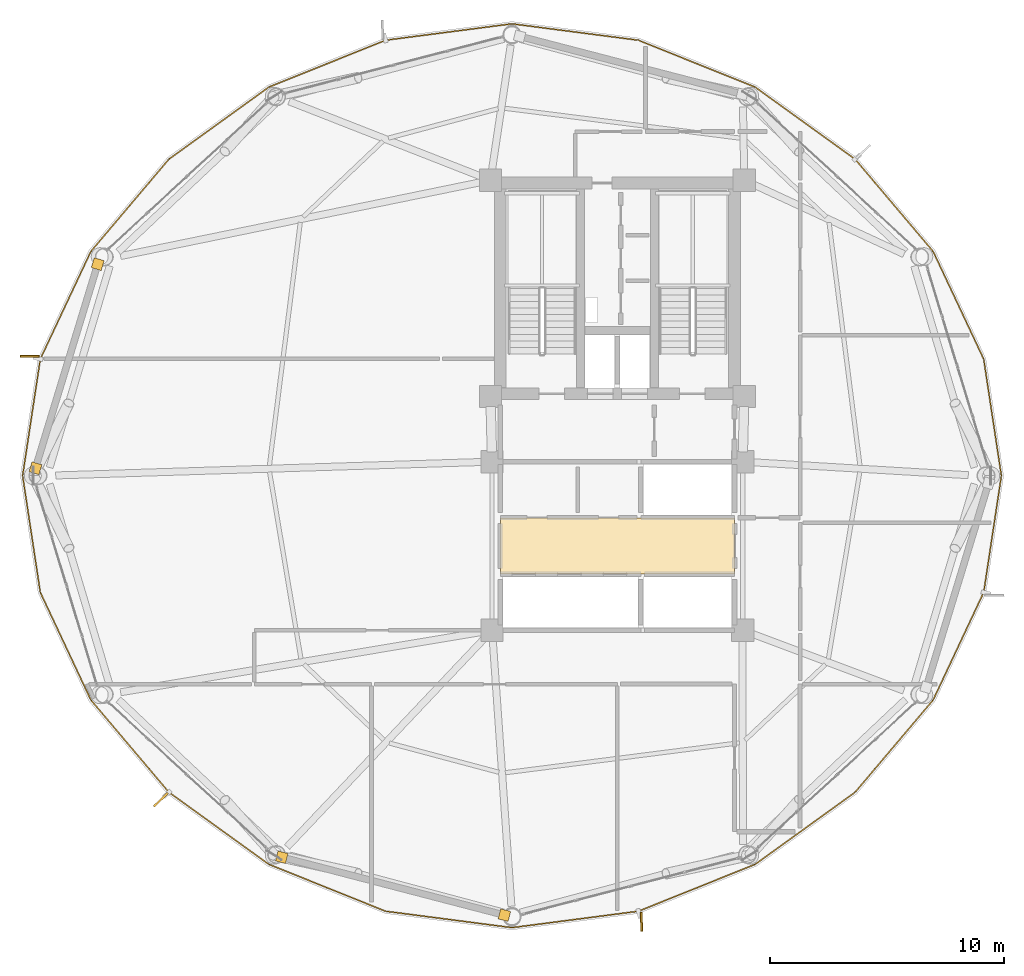
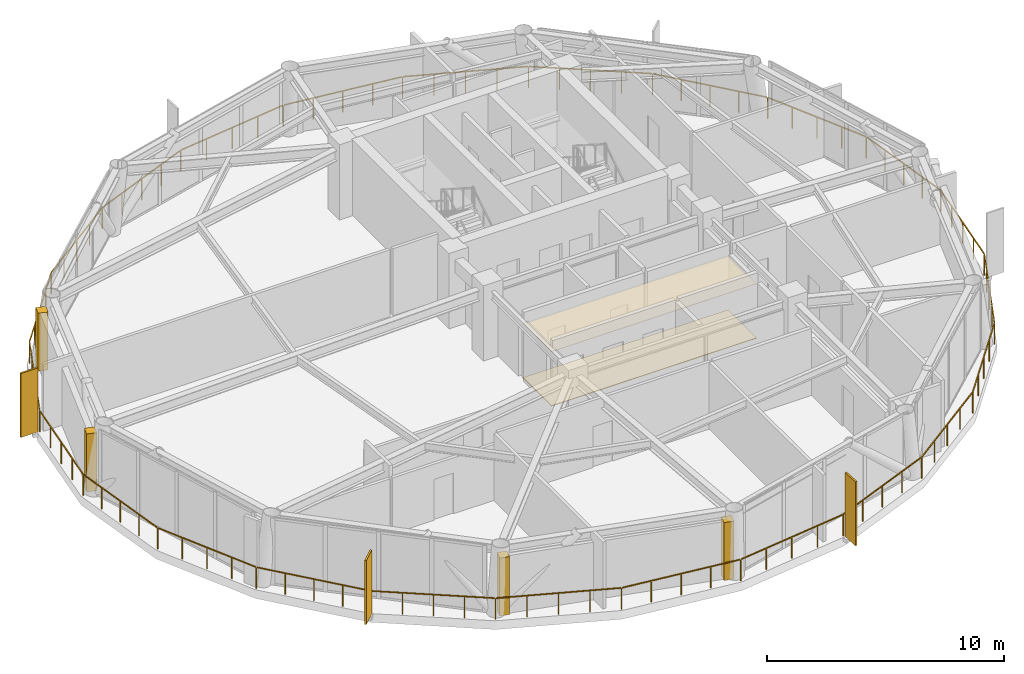
# One storey, part 24 of 26: 6 coverings, 3 shading devices, 1 railing.
"""IFC4 building model written with IfcOpenShell, lengths in metres."""

from ifc_helpers import new_model, si_unit, direction, frame, origin, origin_2d, place, context, subcontext, project, spatial, polyline, rectangle, outline, extrude, source, transform, mapped, material, layer, layer_set, type_object, type_shapes, element, save


model = new_model("IFC4")

# Units and contexts
model_context = context("Model", 3, precision=1e-05, world=origin(), true_north=direction((0.0, 1.0)))
body_context = subcontext(model_context, "Body", "Model", "MODEL_VIEW")
ifc_project = project(units=[si_unit("LENGTHUNIT", "METRE"), si_unit("AREAUNIT", "SQUARE_METRE"), si_unit("VOLUMEUNIT", "CUBIC_METRE"), si_unit("PLANEANGLEUNIT", "RADIAN"), si_unit("MASSUNIT", "GRAM", prefix="KILO")], contexts=[model_context])

# Site, building, storey
site_placement = place(None, origin())
site = spatial("IfcSite", under=ifc_project, at=site_placement, CompositionType="ELEMENT")
building_placement = place(site_placement, origin())
building = spatial("IfcBuilding", under=site, at=building_placement, Name="Varnakorn Sky Granary", CompositionType="ELEMENT")
storey_placement = place(building_placement, frame((0.0, 0.0, 169.5)))
storey = spatial("IfcBuildingStorey", under=building, at=storey_placement, Name="L42", CompositionType="ELEMENT", Elevation=169.5)

# Coverings
ifc_material_1 = material(Name="Perforated Acoustic Mineral-Fibre Ceiling", Category="gypsum")
ifc_layer_1 = layer(ifc_material_1, 0.02001953125, Name="Perforated Acoustic Mineral-Fibre Ceiling")
ifc_layer_set_1 = layer_set([ifc_layer_1], Name="Perforated Acoustic Mineral-Fibre Ceiling")
covering_type_1 = type_object("IfcCoveringType", Name="CV-CEIL-20", PredefinedType="CEILING", material=ifc_layer_set_1)
covering_1_placement = place(storey_placement, frame((0.0, 0.0, 2.800048828125)))
element("IfcCovering", 1, at=covering_1_placement, inside=storey, type_object=covering_type_1, Name="Lift Lobby Perforated Acoustic Ceiling L42", PredefinedType="CEILING", context=body_context, shape_type="SweptSolid", body=[
    extrude(outline(polyline([(-2.0, -4.199951171875), (8.0, -4.199951171875), (8.0, -1.800048828125), (-2.0, -1.800048828125), (-2.0, -4.199951171875)])), origin(), (0.0, 0.0, 1.0), 0.02001953125),
])
ifc_material_2 = material(Name="Honed Epoxy Terrazzo Topping", Category="concrete")
ifc_layer_2 = layer(ifc_material_2, 0.030029296875, Name="Honed Epoxy Terrazzo Topping")
ifc_layer_set_2 = layer_set([ifc_layer_2], Name="Honed Epoxy Terrazzo Topping")
covering_type_2 = type_object("IfcCoveringType", Name="CV-FLOR-30", PredefinedType="FLOORING", material=ifc_layer_set_2)
covering_2_placement = place(storey_placement, origin())
element("IfcCovering", 2, at=covering_2_placement, inside=storey, type_object=covering_type_2, Name="Lift Lobby Terrazzo Floor Finish L42", PredefinedType="FLOORING", context=body_context, shape_type="SweptSolid", body=[
    extrude(outline(polyline([(-2.0, -4.199951171875), (8.0, -4.199951171875), (8.0, -1.800048828125), (-2.0, -1.800048828125), (-2.0, -4.199951171875)])), origin(), (0.0, 0.0, 1.0), 0.030029296875),
])

# Railing
ifc_material_3 = material(Name="Anodised Bronze Aluminium Alloy 6063-T6", Category="aluminium")
railing_type = type_object("IfcRailingType", Name="RL-BAL-1120", PredefinedType="BALUSTRADE", material=ifc_material_3)
railing_placement = place(storey_placement, frame((19.39892578125, 0.0, 0.0)))
element("IfcRailing", 3, at=railing_placement, inside=storey, type_object=railing_type, Name="Perimeter Slab-Edge Safety Guard L42", PredefinedType="BALUSTRADE", context=body_context, shape_type="SweptSolid", body=[
    extrude(rectangle(XDim=0.048095703125, YDim=0.048095703125, at=origin_2d()), frame((-0.004150390625, -0.027587890625, 1.09619140625), z_axis=(-0.149824045545, -0.988712675845, 0.0), x_axis=(0.988712675845, -0.149824045545, 0.0)), (0.0, 0.0, 1.0), 4.980712890625),
    extrude(rectangle(XDim=0.048095703125, YDim=0.048095703125, at=origin_2d()), frame((-0.7666015625, -5.00537109375, 1.09619140625), z_axis=(-0.425144226955, -0.905125619064, 0.0), x_axis=(0.905125619064, -0.425144226955, 0.0)), (0.0, 0.0, 1.0), 5.02392578125),
    extrude(rectangle(XDim=0.048095703125, YDim=0.048095703125, at=origin_2d()), frame((-2.932373046875, -9.599365234375, 1.09619140625), z_axis=(-0.645749153438, -0.763549625653, 0.0), x_axis=(0.763549625653, -0.645749153438, 0.0)), (0.0, 0.0, 1.0), 5.1025390625),
    extrude(rectangle(XDim=0.048095703125, YDim=0.048095703125, at=origin_2d()), frame((-6.26806640625, -13.532958984375, 1.09619140625), z_axis=(-0.81109604395, -0.584912991383, 0.0), x_axis=(0.584912991383, -0.81109604395, 0.0)), (0.0, 0.0, 1.0), 5.208251953125),
    extrude(rectangle(XDim=0.048095703125, YDim=0.048095703125, at=origin_2d()), frame((-10.541015625, -16.606201171875, 1.09619140625), z_axis=(-0.927964985214, -0.372667393553, 0.0), x_axis=(0.372667393553, -0.927964985214, 0.0)), (0.0, 0.0, 1.0), 5.316650390625),
    extrude(rectangle(XDim=0.048095703125, YDim=0.048095703125, at=origin_2d()), frame((-15.528564453125, -18.6015625, 1.09619140625), z_axis=(-0.991663814269, -0.128852161295, 0.0), x_axis=(0.128852161295, -0.991663814269, 0.0)), (0.0, 0.0, 1.0), 5.387451171875),
    extrude(rectangle(XDim=0.048095703125, YDim=0.048095703125, at=origin_2d()), frame((-20.9267578125, -19.295654296875, 1.09619140625), z_axis=(-0.991663814269, 0.128852161295, 0.0), x_axis=(-0.128852161295, -0.991663814269, 0.0)), (0.0, 0.0, 1.0), 5.387451171875),
    extrude(rectangle(XDim=0.048095703125, YDim=0.048095703125, at=origin_2d()), frame((-26.322998046875, -18.58740234375, 1.09619140625), z_axis=(-0.927964985214, 0.372667393553, 0.0), x_axis=(-0.372667393553, -0.927964985214, 0.0)), (0.0, 0.0, 1.0), 5.316650390625),
    extrude(rectangle(XDim=0.048095703125, YDim=0.048095703125, at=origin_2d()), frame((-31.305419921875, -16.579345703125, 1.09619140625), z_axis=(-0.81109604395, 0.584912991383, 0.0), x_axis=(-0.584912991383, -0.81109604395, 0.0)), (0.0, 0.0, 1.0), 5.208251953125),
    extrude(rectangle(XDim=0.048095703125, YDim=0.048095703125, at=origin_2d()), frame((-35.570556640625, -13.4951171875, 1.09619140625), z_axis=(-0.645749153438, 0.763549625653, 0.0), x_axis=(-0.763549625653, -0.645749153438, 0.0)), (0.0, 0.0, 1.0), 5.1025390625),
    extrude(rectangle(XDim=0.048095703125, YDim=0.048095703125, at=origin_2d()), frame((-38.8955078125, -9.552490234375, 1.09619140625), z_axis=(-0.425144226955, 0.905125619064, 0.0), x_axis=(-0.905125619064, -0.425144226955, 0.0)), (0.0, 0.0, 1.0), 5.02392578125),
    extrude(rectangle(XDim=0.048095703125, YDim=0.048095703125, at=origin_2d()), frame((-41.04736328125, -4.952392578125, 1.09619140625), z_axis=(-0.149824045545, 0.988712675845, 0.0), x_axis=(-0.988712675845, -0.149824045545, 0.0)), (0.0, 0.0, 1.0), 4.980712890625),
    extrude(rectangle(XDim=0.048095703125, YDim=0.048095703125, at=origin_2d()), frame((-41.793701171875, 0.027587890625, 1.09619140625), z_axis=(0.149824045545, 0.988712675845, 0.0), x_axis=(-0.988712675845, 0.149824045545, 0.0)), (0.0, 0.0, 1.0), 4.980712890625),
    extrude(rectangle(XDim=0.048095703125, YDim=0.048095703125, at=origin_2d()), frame((-41.03125, 5.00537109375, 1.09619140625), z_axis=(0.425144226955, 0.905125619064, 0.0), x_axis=(-0.905125619064, 0.425144226955, 0.0)), (0.0, 0.0, 1.0), 5.02392578125),
    extrude(rectangle(XDim=0.048095703125, YDim=0.048095703125, at=origin_2d()), frame((-38.865478515625, 9.599365234375, 1.09619140625), z_axis=(0.645749153438, 0.763549625653, 0.0), x_axis=(-0.763549625653, 0.645749153438, 0.0)), (0.0, 0.0, 1.0), 5.1025390625),
    extrude(rectangle(XDim=0.048095703125, YDim=0.048095703125, at=origin_2d()), frame((-35.52978515625, 13.532958984375, 1.09619140625), z_axis=(0.81109604395, 0.584912991383, 0.0), x_axis=(-0.584912991383, 0.81109604395, 0.0)), (0.0, 0.0, 1.0), 5.208251953125),
    extrude(rectangle(XDim=0.048095703125, YDim=0.048095703125, at=origin_2d()), frame((-31.2568359375, 16.606201171875, 1.09619140625), z_axis=(0.927964985214, 0.372667393553, 0.0), x_axis=(-0.372667393553, 0.927964985214, 0.0)), (0.0, 0.0, 1.0), 5.316650390625),
    extrude(rectangle(XDim=0.048095703125, YDim=0.048095703125, at=origin_2d()), frame((-26.269287109375, 18.6015625, 1.09619140625), z_axis=(0.991663814269, 0.128852161295, 0.0), x_axis=(-0.128852161295, 0.991663814269, 0.0)), (0.0, 0.0, 1.0), 5.387451171875),
    extrude(rectangle(XDim=0.048095703125, YDim=0.048095703125, at=origin_2d()), frame((-20.87109375, 19.295654296875, 1.09619140625), z_axis=(0.991663814269, -0.128852161295, 0.0), x_axis=(0.128852161295, 0.991663814269, 0.0)), (0.0, 0.0, 1.0), 5.387451171875),
    extrude(rectangle(XDim=0.048095703125, YDim=0.048095703125, at=origin_2d()), frame((-15.474853515625, 18.58740234375, 1.09619140625), z_axis=(0.927964985214, -0.372667393553, 0.0), x_axis=(0.372667393553, 0.927964985214, 0.0)), (0.0, 0.0, 1.0), 5.316650390625),
    extrude(rectangle(XDim=0.048095703125, YDim=0.048095703125, at=origin_2d()), frame((-10.492431640625, 16.579345703125, 1.09619140625), z_axis=(0.81109604395, -0.584912991383, 0.0), x_axis=(0.584912991383, 0.81109604395, 0.0)), (0.0, 0.0, 1.0), 5.208251953125),
    extrude(rectangle(XDim=0.048095703125, YDim=0.048095703125, at=origin_2d()), frame((-6.227294921875, 13.4951171875, 1.09619140625), z_axis=(0.645749153438, -0.763549625653, 0.0), x_axis=(0.763549625653, 0.645749153438, 0.0)), (0.0, 0.0, 1.0), 5.1025390625),
    extrude(rectangle(XDim=0.048095703125, YDim=0.048095703125, at=origin_2d()), frame((-2.90234375, 9.552490234375, 1.09619140625), z_axis=(0.425144226955, -0.905125619064, 0.0), x_axis=(0.905125619064, 0.425144226955, 0.0)), (0.0, 0.0, 1.0), 5.02392578125),
    extrude(rectangle(XDim=0.048095703125, YDim=0.048095703125, at=origin_2d()), frame((-0.75048828125, 4.952392578125, 1.09619140625), z_axis=(0.149824045545, -0.988712675845, 0.0), x_axis=(0.988712675845, 0.149824045545, 0.0)), (0.0, 0.0, 1.0), 4.980712890625),
    extrude(rectangle(XDim=0.0419921875, YDim=0.0419921875, at=origin_2d()), origin(), (0.0, 0.0, 1.0), 1.068115234375),
    extrude(rectangle(XDim=0.0419921875, YDim=0.0419921875, at=origin_2d()), frame((-0.188720703125, -1.2451171875, 0.0)), (0.0, 0.0, 1.0), 1.068115234375),
    extrude(rectangle(XDim=0.0419921875, YDim=0.0419921875, at=origin_2d()), frame((-0.37744140625, -2.489990234375, 0.0)), (0.0, 0.0, 1.0), 1.068115234375),
    extrude(rectangle(XDim=0.0419921875, YDim=0.0419921875, at=origin_2d()), frame((-0.56591796875, -3.73486328125, 0.0)), (0.0, 0.0, 1.0), 1.068115234375),
    extrude(rectangle(XDim=0.0419921875, YDim=0.0419921875, at=origin_2d()), frame((-0.754638671875, -4.97998046875, 0.0)), (0.0, 0.0, 1.0), 1.068115234375),
    extrude(rectangle(XDim=0.0419921875, YDim=0.0419921875, at=origin_2d()), frame((-1.29443359375, -6.12939453125, 0.0)), (0.0, 0.0, 1.0), 1.068115234375),
    extrude(rectangle(XDim=0.0419921875, YDim=0.0419921875, at=origin_2d()), frame((-1.83447265625, -7.27880859375, 0.0)), (0.0, 0.0, 1.0), 1.068115234375),
    extrude(rectangle(XDim=0.0419921875, YDim=0.0419921875, at=origin_2d()), frame((-2.37451171875, -8.428466796875, 0.0)), (0.0, 0.0, 1.0), 1.068115234375),
    extrude(rectangle(XDim=0.0419921875, YDim=0.0419921875, at=origin_2d()), frame((-2.914306640625, -9.577880859375, 0.0)), (0.0, 0.0, 1.0), 1.068115234375),
    extrude(rectangle(XDim=0.0419921875, YDim=0.0419921875, at=origin_2d()), frame((-3.7470703125, -10.5625, 0.0)), (0.0, 0.0, 1.0), 1.068115234375),
    extrude(rectangle(XDim=0.0419921875, YDim=0.0419921875, at=origin_2d()), frame((-4.579833984375, -11.54736328125, 0.0)), (0.0, 0.0, 1.0), 1.068115234375),
    extrude(rectangle(XDim=0.0419921875, YDim=0.0419921875, at=origin_2d()), frame((-5.41259765625, -12.531982421875, 0.0)), (0.0, 0.0, 1.0), 1.068115234375),
    extrude(rectangle(XDim=0.0419921875, YDim=0.0419921875, at=origin_2d()), frame((-6.245361328125, -13.5166015625, 0.0)), (0.0, 0.0, 1.0), 1.068115234375),
    extrude(rectangle(XDim=0.0419921875, YDim=0.0419921875, at=origin_2d()), frame((-7.312744140625, -14.286376953125, 0.0)), (0.0, 0.0, 1.0), 1.068115234375),
    extrude(rectangle(XDim=0.0419921875, YDim=0.0419921875, at=origin_2d()), frame((-8.38037109375, -15.05615234375, 0.0)), (0.0, 0.0, 1.0), 1.068115234375),
    extrude(rectangle(XDim=0.0419921875, YDim=0.0419921875, at=origin_2d()), frame((-9.44775390625, -15.825927734375, 0.0)), (0.0, 0.0, 1.0), 1.068115234375),
    extrude(rectangle(XDim=0.0419921875, YDim=0.0419921875, at=origin_2d()), frame((-10.51513671875, -16.595703125, 0.0)), (0.0, 0.0, 1.0), 1.068115234375),
    extrude(rectangle(XDim=0.0419921875, YDim=0.0419921875, at=origin_2d()), frame((-11.761474609375, -17.09619140625, 0.0)), (0.0, 0.0, 1.0), 1.068115234375),
    extrude(rectangle(XDim=0.0419921875, YDim=0.0419921875, at=origin_2d()), frame((-13.0078125, -17.5966796875, 0.0)), (0.0, 0.0, 1.0), 1.068115234375),
    extrude(rectangle(XDim=0.0419921875, YDim=0.0419921875, at=origin_2d()), frame((-14.25439453125, -18.097412109375, 0.0)), (0.0, 0.0, 1.0), 1.068115234375),
    extrude(rectangle(XDim=0.0419921875, YDim=0.0419921875, at=origin_2d()), frame((-15.500732421875, -18.597900390625, 0.0)), (0.0, 0.0, 1.0), 1.068115234375),
    extrude(rectangle(XDim=0.0419921875, YDim=0.0419921875, at=origin_2d()), frame((-16.850341796875, -18.773193359375, 0.0)), (0.0, 0.0, 1.0), 1.068115234375),
    extrude(rectangle(XDim=0.0419921875, YDim=0.0419921875, at=origin_2d()), frame((-18.19970703125, -18.94873046875, 0.0)), (0.0, 0.0, 1.0), 1.068115234375),
    extrude(rectangle(XDim=0.0419921875, YDim=0.0419921875, at=origin_2d()), frame((-19.54931640625, -19.1240234375, 0.0)), (0.0, 0.0, 1.0), 1.068115234375),
    extrude(rectangle(XDim=0.0419921875, YDim=0.0419921875, at=origin_2d()), frame((-20.89892578125, -19.29931640625, 0.0)), (0.0, 0.0, 1.0), 1.068115234375),
    extrude(rectangle(XDim=0.0419921875, YDim=0.0419921875, at=origin_2d()), frame((-22.24853515625, -19.1240234375, 0.0)), (0.0, 0.0, 1.0), 1.068115234375),
    extrude(rectangle(XDim=0.0419921875, YDim=0.0419921875, at=origin_2d()), frame((-23.59814453125, -18.94873046875, 0.0)), (0.0, 0.0, 1.0), 1.068115234375),
    extrude(rectangle(XDim=0.0419921875, YDim=0.0419921875, at=origin_2d()), frame((-24.947509765625, -18.773193359375, 0.0)), (0.0, 0.0, 1.0), 1.068115234375),
    extrude(rectangle(XDim=0.0419921875, YDim=0.0419921875, at=origin_2d()), frame((-26.297119140625, -18.597900390625, 0.0)), (0.0, 0.0, 1.0), 1.068115234375),
    extrude(rectangle(XDim=0.0419921875, YDim=0.0419921875, at=origin_2d()), frame((-27.54345703125, -18.097412109375, 0.0)), (0.0, 0.0, 1.0), 1.068115234375),
    extrude(rectangle(XDim=0.0419921875, YDim=0.0419921875, at=origin_2d()), frame((-28.7900390625, -17.5966796875, 0.0)), (0.0, 0.0, 1.0), 1.068115234375),
    extrude(rectangle(XDim=0.0419921875, YDim=0.0419921875, at=origin_2d()), frame((-30.036376953125, -17.09619140625, 0.0)), (0.0, 0.0, 1.0), 1.068115234375),
    extrude(rectangle(XDim=0.0419921875, YDim=0.0419921875, at=origin_2d()), frame((-31.28271484375, -16.595703125, 0.0)), (0.0, 0.0, 1.0), 1.068115234375),
    extrude(rectangle(XDim=0.0419921875, YDim=0.0419921875, at=origin_2d()), frame((-32.35009765625, -15.825927734375, 0.0)), (0.0, 0.0, 1.0), 1.068115234375),
    extrude(rectangle(XDim=0.0419921875, YDim=0.0419921875, at=origin_2d()), frame((-33.41748046875, -15.05615234375, 0.0)), (0.0, 0.0, 1.0), 1.068115234375),
    extrude(rectangle(XDim=0.0419921875, YDim=0.0419921875, at=origin_2d()), frame((-34.485107421875, -14.286376953125, 0.0)), (0.0, 0.0, 1.0), 1.068115234375),
    extrude(rectangle(XDim=0.0419921875, YDim=0.0419921875, at=origin_2d()), frame((-35.552490234375, -13.5166015625, 0.0)), (0.0, 0.0, 1.0), 1.068115234375),
    extrude(rectangle(XDim=0.0419921875, YDim=0.0419921875, at=origin_2d()), frame((-36.38525390625, -12.531982421875, 0.0)), (0.0, 0.0, 1.0), 1.068115234375),
    extrude(rectangle(XDim=0.0419921875, YDim=0.0419921875, at=origin_2d()), frame((-37.218017578125, -11.54736328125, 0.0)), (0.0, 0.0, 1.0), 1.068115234375),
    extrude(rectangle(XDim=0.0419921875, YDim=0.0419921875, at=origin_2d()), frame((-38.05078125, -10.5625, 0.0)), (0.0, 0.0, 1.0), 1.068115234375),
    extrude(rectangle(XDim=0.0419921875, YDim=0.0419921875, at=origin_2d()), frame((-38.883544921875, -9.577880859375, 0.0)), (0.0, 0.0, 1.0), 1.068115234375),
    extrude(rectangle(XDim=0.0419921875, YDim=0.0419921875, at=origin_2d()), frame((-39.42333984375, -8.428466796875, 0.0)), (0.0, 0.0, 1.0), 1.068115234375),
    extrude(rectangle(XDim=0.0419921875, YDim=0.0419921875, at=origin_2d()), frame((-39.96337890625, -7.27880859375, 0.0)), (0.0, 0.0, 1.0), 1.068115234375),
    extrude(rectangle(XDim=0.0419921875, YDim=0.0419921875, at=origin_2d()), frame((-40.50341796875, -6.12939453125, 0.0)), (0.0, 0.0, 1.0), 1.068115234375),
    extrude(rectangle(XDim=0.0419921875, YDim=0.0419921875, at=origin_2d()), frame((-41.043212890625, -4.97998046875, 0.0)), (0.0, 0.0, 1.0), 1.068115234375),
    extrude(rectangle(XDim=0.0419921875, YDim=0.0419921875, at=origin_2d()), frame((-41.23193359375, -3.73486328125, 0.0)), (0.0, 0.0, 1.0), 1.068115234375),
    extrude(rectangle(XDim=0.0419921875, YDim=0.0419921875, at=origin_2d()), frame((-41.42041015625, -2.489990234375, 0.0)), (0.0, 0.0, 1.0), 1.068115234375),
    extrude(rectangle(XDim=0.0419921875, YDim=0.0419921875, at=origin_2d()), frame((-41.609130859375, -1.2451171875, 0.0)), (0.0, 0.0, 1.0), 1.068115234375),
    extrude(rectangle(XDim=0.0419921875, YDim=0.0419921875, at=origin_2d()), frame((-41.7978515625, 0.0, 0.0)), (0.0, 0.0, 1.0), 1.068115234375),
    extrude(rectangle(XDim=0.0419921875, YDim=0.0419921875, at=origin_2d()), frame((-41.609130859375, 1.2451171875, 0.0)), (0.0, 0.0, 1.0), 1.068115234375),
    extrude(rectangle(XDim=0.0419921875, YDim=0.0419921875, at=origin_2d()), frame((-41.42041015625, 2.489990234375, 0.0)), (0.0, 0.0, 1.0), 1.068115234375),
    extrude(rectangle(XDim=0.0419921875, YDim=0.0419921875, at=origin_2d()), frame((-41.23193359375, 3.73486328125, 0.0)), (0.0, 0.0, 1.0), 1.068115234375),
    extrude(rectangle(XDim=0.0419921875, YDim=0.0419921875, at=origin_2d()), frame((-41.043212890625, 4.97998046875, 0.0)), (0.0, 0.0, 1.0), 1.068115234375),
    extrude(rectangle(XDim=0.0419921875, YDim=0.0419921875, at=origin_2d()), frame((-40.50341796875, 6.12939453125, 0.0)), (0.0, 0.0, 1.0), 1.068115234375),
    extrude(rectangle(XDim=0.0419921875, YDim=0.0419921875, at=origin_2d()), frame((-39.96337890625, 7.27880859375, 0.0)), (0.0, 0.0, 1.0), 1.068115234375),
    extrude(rectangle(XDim=0.0419921875, YDim=0.0419921875, at=origin_2d()), frame((-39.42333984375, 8.428466796875, 0.0)), (0.0, 0.0, 1.0), 1.068115234375),
    extrude(rectangle(XDim=0.0419921875, YDim=0.0419921875, at=origin_2d()), frame((-38.883544921875, 9.577880859375, 0.0)), (0.0, 0.0, 1.0), 1.068115234375),
    extrude(rectangle(XDim=0.0419921875, YDim=0.0419921875, at=origin_2d()), frame((-38.05078125, 10.5625, 0.0)), (0.0, 0.0, 1.0), 1.068115234375),
    extrude(rectangle(XDim=0.0419921875, YDim=0.0419921875, at=origin_2d()), frame((-37.218017578125, 11.54736328125, 0.0)), (0.0, 0.0, 1.0), 1.068115234375),
    extrude(rectangle(XDim=0.0419921875, YDim=0.0419921875, at=origin_2d()), frame((-36.38525390625, 12.531982421875, 0.0)), (0.0, 0.0, 1.0), 1.068115234375),
    extrude(rectangle(XDim=0.0419921875, YDim=0.0419921875, at=origin_2d()), frame((-35.552490234375, 13.5166015625, 0.0)), (0.0, 0.0, 1.0), 1.068115234375),
    extrude(rectangle(XDim=0.0419921875, YDim=0.0419921875, at=origin_2d()), frame((-34.485107421875, 14.286376953125, 0.0)), (0.0, 0.0, 1.0), 1.068115234375),
    extrude(rectangle(XDim=0.0419921875, YDim=0.0419921875, at=origin_2d()), frame((-33.41748046875, 15.05615234375, 0.0)), (0.0, 0.0, 1.0), 1.068115234375),
    extrude(rectangle(XDim=0.0419921875, YDim=0.0419921875, at=origin_2d()), frame((-32.35009765625, 15.825927734375, 0.0)), (0.0, 0.0, 1.0), 1.068115234375),
    extrude(rectangle(XDim=0.0419921875, YDim=0.0419921875, at=origin_2d()), frame((-31.28271484375, 16.595703125, 0.0)), (0.0, 0.0, 1.0), 1.068115234375),
    extrude(rectangle(XDim=0.0419921875, YDim=0.0419921875, at=origin_2d()), frame((-30.036376953125, 17.09619140625, 0.0)), (0.0, 0.0, 1.0), 1.068115234375),
    extrude(rectangle(XDim=0.0419921875, YDim=0.0419921875, at=origin_2d()), frame((-28.7900390625, 17.5966796875, 0.0)), (0.0, 0.0, 1.0), 1.068115234375),
    extrude(rectangle(XDim=0.0419921875, YDim=0.0419921875, at=origin_2d()), frame((-27.54345703125, 18.097412109375, 0.0)), (0.0, 0.0, 1.0), 1.068115234375),
    extrude(rectangle(XDim=0.0419921875, YDim=0.0419921875, at=origin_2d()), frame((-26.297119140625, 18.597900390625, 0.0)), (0.0, 0.0, 1.0), 1.068115234375),
    extrude(rectangle(XDim=0.0419921875, YDim=0.0419921875, at=origin_2d()), frame((-24.947509765625, 18.773193359375, 0.0)), (0.0, 0.0, 1.0), 1.068115234375),
    extrude(rectangle(XDim=0.0419921875, YDim=0.0419921875, at=origin_2d()), frame((-23.59814453125, 18.94873046875, 0.0)), (0.0, 0.0, 1.0), 1.068115234375),
    extrude(rectangle(XDim=0.0419921875, YDim=0.0419921875, at=origin_2d()), frame((-22.24853515625, 19.1240234375, 0.0)), (0.0, 0.0, 1.0), 1.068115234375),
    extrude(rectangle(XDim=0.0419921875, YDim=0.0419921875, at=origin_2d()), frame((-20.89892578125, 19.29931640625, 0.0)), (0.0, 0.0, 1.0), 1.068115234375),
    extrude(rectangle(XDim=0.0419921875, YDim=0.0419921875, at=origin_2d()), frame((-19.54931640625, 19.1240234375, 0.0)), (0.0, 0.0, 1.0), 1.068115234375),
    extrude(rectangle(XDim=0.0419921875, YDim=0.0419921875, at=origin_2d()), frame((-18.19970703125, 18.94873046875, 0.0)), (0.0, 0.0, 1.0), 1.068115234375),
    extrude(rectangle(XDim=0.0419921875, YDim=0.0419921875, at=origin_2d()), frame((-16.850341796875, 18.773193359375, 0.0)), (0.0, 0.0, 1.0), 1.068115234375),
    extrude(rectangle(XDim=0.0419921875, YDim=0.0419921875, at=origin_2d()), frame((-15.500732421875, 18.597900390625, 0.0)), (0.0, 0.0, 1.0), 1.068115234375),
    extrude(rectangle(XDim=0.0419921875, YDim=0.0419921875, at=origin_2d()), frame((-14.25439453125, 18.097412109375, 0.0)), (0.0, 0.0, 1.0), 1.068115234375),
    extrude(rectangle(XDim=0.0419921875, YDim=0.0419921875, at=origin_2d()), frame((-13.0078125, 17.5966796875, 0.0)), (0.0, 0.0, 1.0), 1.068115234375),
    extrude(rectangle(XDim=0.0419921875, YDim=0.0419921875, at=origin_2d()), frame((-11.761474609375, 17.09619140625, 0.0)), (0.0, 0.0, 1.0), 1.068115234375),
    extrude(rectangle(XDim=0.0419921875, YDim=0.0419921875, at=origin_2d()), frame((-10.51513671875, 16.595703125, 0.0)), (0.0, 0.0, 1.0), 1.068115234375),
    extrude(rectangle(XDim=0.0419921875, YDim=0.0419921875, at=origin_2d()), frame((-9.44775390625, 15.825927734375, 0.0)), (0.0, 0.0, 1.0), 1.068115234375),
    extrude(rectangle(XDim=0.0419921875, YDim=0.0419921875, at=origin_2d()), frame((-8.38037109375, 15.05615234375, 0.0)), (0.0, 0.0, 1.0), 1.068115234375),
    extrude(rectangle(XDim=0.0419921875, YDim=0.0419921875, at=origin_2d()), frame((-7.312744140625, 14.286376953125, 0.0)), (0.0, 0.0, 1.0), 1.068115234375),
    extrude(rectangle(XDim=0.0419921875, YDim=0.0419921875, at=origin_2d()), frame((-6.245361328125, 13.5166015625, 0.0)), (0.0, 0.0, 1.0), 1.068115234375),
    extrude(rectangle(XDim=0.0419921875, YDim=0.0419921875, at=origin_2d()), frame((-5.41259765625, 12.531982421875, 0.0)), (0.0, 0.0, 1.0), 1.068115234375),
    extrude(rectangle(XDim=0.0419921875, YDim=0.0419921875, at=origin_2d()), frame((-4.579833984375, 11.54736328125, 0.0)), (0.0, 0.0, 1.0), 1.068115234375),
    extrude(rectangle(XDim=0.0419921875, YDim=0.0419921875, at=origin_2d()), frame((-3.7470703125, 10.5625, 0.0)), (0.0, 0.0, 1.0), 1.068115234375),
    extrude(rectangle(XDim=0.0419921875, YDim=0.0419921875, at=origin_2d()), frame((-2.914306640625, 9.577880859375, 0.0)), (0.0, 0.0, 1.0), 1.068115234375),
    extrude(rectangle(XDim=0.0419921875, YDim=0.0419921875, at=origin_2d()), frame((-2.37451171875, 8.428466796875, 0.0)), (0.0, 0.0, 1.0), 1.068115234375),
    extrude(rectangle(XDim=0.0419921875, YDim=0.0419921875, at=origin_2d()), frame((-1.83447265625, 7.27880859375, 0.0)), (0.0, 0.0, 1.0), 1.068115234375),
    extrude(rectangle(XDim=0.0419921875, YDim=0.0419921875, at=origin_2d()), frame((-1.29443359375, 6.12939453125, 0.0)), (0.0, 0.0, 1.0), 1.068115234375),
    extrude(rectangle(XDim=0.0419921875, YDim=0.0419921875, at=origin_2d()), frame((-0.754638671875, 4.97998046875, 0.0)), (0.0, 0.0, 1.0), 1.068115234375),
    extrude(rectangle(XDim=0.0419921875, YDim=0.0419921875, at=origin_2d()), frame((-0.56591796875, 3.73486328125, 0.0)), (0.0, 0.0, 1.0), 1.068115234375),
    extrude(rectangle(XDim=0.0419921875, YDim=0.0419921875, at=origin_2d()), frame((-0.37744140625, 2.489990234375, 0.0)), (0.0, 0.0, 1.0), 1.068115234375),
    extrude(rectangle(XDim=0.0419921875, YDim=0.0419921875, at=origin_2d()), frame((-0.188720703125, 1.2451171875, 0.0)), (0.0, 0.0, 1.0), 1.068115234375),
])

# Coverings
ifc_layer_3 = layer(ifc_material_3, 0.050048828125, Name="Anodised Bronze Aluminium Alloy 6063-T6")
ifc_layer_set_3 = layer_set([ifc_layer_3], Name="Anodised Bronze Aluminium Alloy 6063-T6")
covering_type_3 = type_object("IfcCoveringType", Name="CV-CLAD-50", PredefinedType="CLADDING", material=ifc_layer_set_3)
shared_shape_1 = source(origin(), body_context, "Body", "SweptSolid", [
    extrude(rectangle(XDim=0.43994140625, YDim=0.43994140625, at=origin_2d()), origin(), (0.0, 0.0, 1.0), 2.989990234375),
])
type_shapes(covering_type_3, [shared_shape_1])
for number, where, z_axis, x_axis, name in (
    (4, (-21.851806640625, 0.3212890625, -0.02001953125), (0.0, 0.0, 1.0), (0.292037873584, 0.956406754677, 0.0), "Bronze Corner Pilaster Closure L42-P06-A"),
    (5, (-19.19140625, 9.0361328125, -0.02001953125), (0.0, 0.0, 1.0), (0.292037873584, 0.956406754677, 0.0), "Bronze Corner Pilaster Closure L42-P06-B"),
    (6, (-1.8251953125, -18.765380859375, -0.02001953125), (0.0, 0.0, 1.0), (-0.967797100329, 0.251731548668, 0.0), "Bronze Corner Pilaster Closure L42-P09-A"),
    (7, (-11.332275390625, -16.292236328125, -0.02001953125), (0.0, 0.0, 1.0), (-0.967797100329, 0.251731548668, 0.0), "Bronze Corner Pilaster Closure L42-P09-B"),
):
    element("IfcCovering", number, at=place(storey_placement, frame(where, z_axis=z_axis, x_axis=x_axis)), inside=storey, type_object=covering_type_3, Name=name, PredefinedType="CLADDING", context=body_context, shape_type="MappedRepresentation", body=[
        mapped(shared_shape_1, transform((0.0, 0.0, 0.0), x_axis=(1.0, 0.0, 0.0), y_axis=(0.0, 1.0, 0.0), z_axis=(0.0, 0.0, 1.0), scale=1.0)),
    ])

# Shading devices
shading_device_type = type_object("IfcShadingDeviceType", Name="SH-FIN-02", PredefinedType="USERDEFINED", material=ifc_material_3)
shared_shape_2 = source(origin(), body_context, "Body", "SweptSolid", [
    extrude(rectangle(XDim=0.0849609375, YDim=0.820068359375, at=origin_2d()), origin(), (0.0, 0.0, 1.0), 3.300048828125),
])
type_shapes(shading_device_type, [shared_shape_2])
for number, where, z_axis, x_axis, name in (
    (8, (-22.100830078125, 5.09619140625, -0.0400390625), (0.0, 0.0, 1.0), (0.004542326682, -0.999989683581, 0.0), "Bronze Solar-Tracking Vertical Blade FIN L42-06"),
    (9, (-16.497314453125, -13.837890625, -0.0400390625), (0.0, 0.0, 1.0), (0.694435113326, -0.719555330312, 0.0), "Bronze Solar-Tracking Vertical Blade FIN L42-08"),
    (10, (4.029052734375, -19.05029296875, -0.0400390625), (0.0, 0.0, 1.0), (0.998913669281, 0.04659915583, 0.0), "Bronze Solar-Tracking Vertical Blade FIN L42-10"),
):
    element("IfcShadingDevice", number, at=place(storey_placement, frame(where, z_axis=z_axis, x_axis=x_axis)), inside=storey, type_object=shading_device_type, Name=name, ObjectType="FIN", PredefinedType="USERDEFINED", context=body_context, shape_type="MappedRepresentation", body=[
        mapped(shared_shape_2, transform((0.0, 0.0, 0.0), x_axis=(1.0, 0.0, 0.0), y_axis=(0.0, 1.0, 0.0), z_axis=(0.0, 0.0, 1.0), scale=1.0)),
    ])

save(model, "model.ifc")
